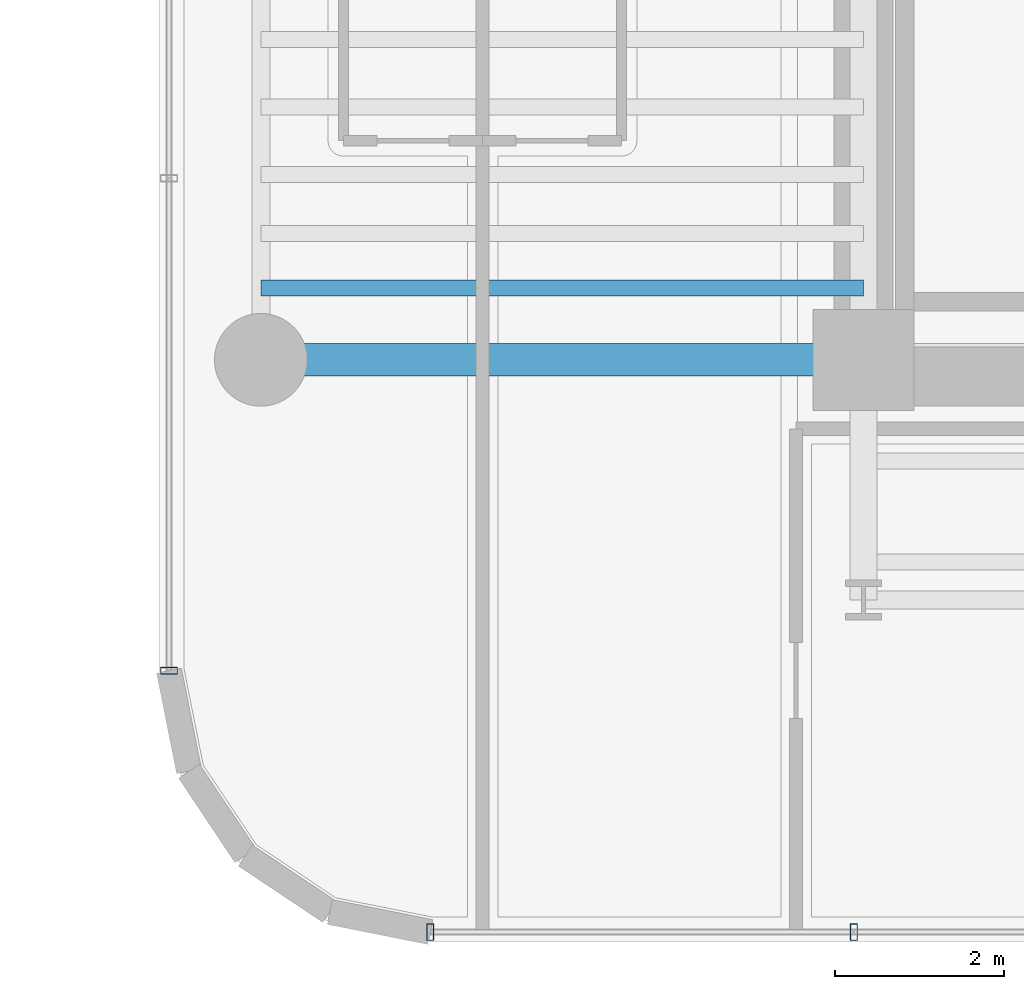
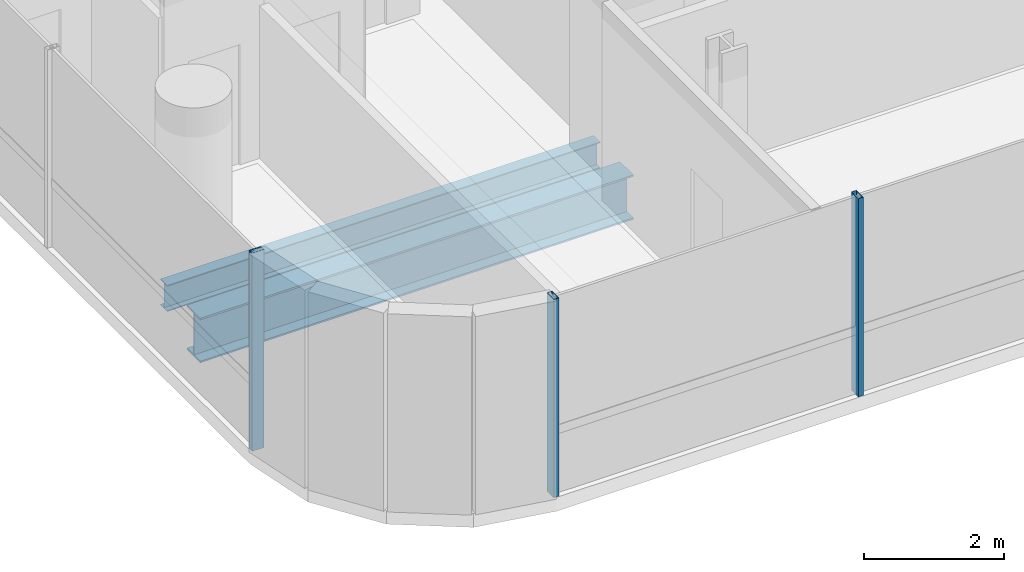
# One storey, part 2 of 35: 3 members, 2 beams, 2 elements without a shape of their own.
"""IFC4 building model written with IfcOpenShell, lengths in metres."""

import ifcopenshell
import ifcopenshell.guid

model = None  # the IFC model being written
_history = None  # IfcOwnerHistory: only IFC2X3 demands one
_inside = {}  # id of a spatial element -> (the spatial element, [elements in it])
_under = {}  # id of a project, library or spatial element -> (it, [spatial elements below it])
_declared = {}  # id of a project -> (the project, [libraries it declares])
_typed = {}  # id of a type object -> (the type object, [elements of that type])
_made_of = {}  # id of a material, layer set ... -> (it, [elements and type objects made of it])


def new_model(schema):
    """Start an empty IFC model of exactly this schema.

    Asked for "IFC4X3", IfcOpenShell would pick the latest addendum, in which some entities
    have other attributes; the version numbers below select the first issue.
    IFC2X3 requires an IfcOwnerHistory on every rooted entity: one is made here for all.
    """
    global model, _history
    if schema == "IFC4X3":
        model = ifcopenshell.file(schema_version=(4, 3, 0, 0))
    else:
        model = ifcopenshell.file(schema=schema)
    _inside.clear()
    _under.clear()
    _declared.clear()
    _typed.clear()
    _made_of.clear()
    _history = None
    if model.schema == "IFC2X3":
        org = make("IfcOrganization", Name="unknown")
        user = make(
            "IfcPersonAndOrganization",
            ThePerson=make("IfcPerson", FamilyName="unknown"),
            TheOrganization=org,
        )
        app = make(
            "IfcApplication",
            ApplicationDeveloper=org,
            Version="unknown",
            ApplicationFullName="unknown",
            ApplicationIdentifier="unknown",
        )
        _history = make(
            "IfcOwnerHistory",
            OwningUser=user,
            OwningApplication=app,
            ChangeAction="ADDED",
            CreationDate=0,
        )
    return model


def make(cls, **values):
    """One entity of the class cls with the attributes given. An attribute that is None is left unset."""
    return model.create_entity(
        cls, **{name: value for name, value in values.items() if value is not None}
    )


def rooted(cls, **values):
    """An entity with a GlobalId (a new one), such as an element, a storey or a relation."""
    return make(cls, GlobalId=ifcopenshell.guid.new(), OwnerHistory=_history, **values)


def si_unit(unit_type, name, prefix=None):
    """IfcSIUnit, for example si_unit("LENGTHUNIT", "METRE", prefix="MILLI")."""
    return make("IfcSIUnit", UnitType=unit_type, Prefix=prefix, Name=name)


def assignment(units):
    """IfcUnitAssignment: the units of a project."""
    return None if units is None else make("IfcUnitAssignment", Units=units)


def point(xyz):
    """IfcCartesianPoint."""
    return None if xyz is None else make("IfcCartesianPoint", Coordinates=xyz)


def direction(xyz):
    """IfcDirection."""
    return None if xyz is None else make("IfcDirection", DirectionRatios=xyz)


def frame(location, z_axis=None, x_axis=None):
    """IfcAxis2Placement3D, a coordinate frame: its origin and axes. An axis left out is left unset."""
    return make(
        "IfcAxis2Placement3D",
        Location=point(location),
        Axis=direction(z_axis),
        RefDirection=direction(x_axis),
    )


def frame_2d(location, x_axis=None):
    """IfcAxis2Placement2D, a coordinate frame in the plane: its origin and x axis."""
    return make(
        "IfcAxis2Placement2D", Location=point(location), RefDirection=direction(x_axis)
    )


def origin():
    """The frame at (0, 0, 0) with its axes left unset."""
    return frame((0.0, 0.0, 0.0))


def origin_2d():
    """The frame at (0, 0) in the plane with its x axis left unset."""
    return frame_2d((0.0, 0.0))


def place(relative_to, where):
    """IfcLocalPlacement: puts the frame where relative to a parent placement (None: the world)."""
    return make(
        "IfcLocalPlacement", PlacementRelTo=relative_to, RelativePlacement=where
    )


def context(
    kind, dimensions, precision=None, world=None, true_north=None, identifier=None
):
    """IfcGeometricRepresentationContext, for example the 3D "Model" context."""
    return make(
        "IfcGeometricRepresentationContext",
        ContextIdentifier=identifier,
        ContextType=kind,
        CoordinateSpaceDimension=dimensions,
        Precision=precision,
        WorldCoordinateSystem=world,
        TrueNorth=true_north,
    )


def subcontext(parent, identifier, kind, view, scale=None):
    """IfcGeometricRepresentationSubContext, for example "Body" below "Model"."""
    return make(
        "IfcGeometricRepresentationSubContext",
        ContextIdentifier=identifier,
        ContextType=kind,
        ParentContext=parent,
        TargetScale=scale,
        TargetView=view,
    )


def project(units=None, contexts=None):
    """IfcProject with its units and contexts."""
    return rooted(
        "IfcProject",
        Name="project",
        RepresentationContexts=contexts,
        UnitsInContext=assignment(units),
    )


def spatial(cls, under=None, at=None, **own):
    """A site, building, storey or space (cls), placed at a placement, below another one or the project."""
    s = rooted(cls, ObjectPlacement=at, **own)
    if under is not None:
        _under.setdefault(under.id(), (under, []))[1].append(s)
    return s


def profile(cls, at=None, kind="AREA", **sizes):
    """A parametric profile (cls). Its sizes go by their IFC names, for example OverallWidth=200.0."""
    return make(cls, ProfileType=kind, Position=at, **sizes)


def hollow_rectangle(**sizes):
    """IfcRectangleHollowProfileDef."""
    return profile("IfcRectangleHollowProfileDef", **sizes)


def i_section(**sizes):
    """IfcIShapeProfileDef."""
    return profile("IfcIShapeProfileDef", **sizes)


def extrude(swept, where, along, depth):
    """IfcExtrudedAreaSolid: the profile swept, set in the frame where, extruded along a direction by depth."""
    return make(
        "IfcExtrudedAreaSolid",
        SweptArea=swept,
        Position=where,
        ExtrudedDirection=direction(along),
        Depth=depth,
    )


def shape(context_of_items, identifier, shape_type, items):
    """IfcShapeRepresentation: the items that make up one representation, for example the "Body"."""
    return make(
        "IfcShapeRepresentation",
        ContextOfItems=context_of_items,
        RepresentationIdentifier=identifier,
        RepresentationType=shape_type,
        Items=items,
    )


def source(mapping_origin, context_of_items, identifier, shape_type, items):
    """IfcRepresentationMap: a shape defined once, which mapped items show again and again."""
    return make(
        "IfcRepresentationMap",
        MappingOrigin=mapping_origin,
        MappedRepresentation=shape(context_of_items, identifier, shape_type, items),
    )


def transform(
    local_origin,
    x_axis=None,
    y_axis=None,
    z_axis=None,
    scale=None,
    scale2=None,
    scale3=None,
    uniform=True,
):
    """IfcCartesianTransformationOperator3D, or its non-uniform kind. x_axis, y_axis, z_axis: its Axis1, 2, 3."""
    if uniform:
        return make(
            "IfcCartesianTransformationOperator3D",
            Axis1=direction(x_axis),
            Axis2=direction(y_axis),
            LocalOrigin=point(local_origin),
            Scale=scale,
            Axis3=direction(z_axis),
        )
    return make(
        "IfcCartesianTransformationOperator3DnonUniform",
        Axis1=direction(x_axis),
        Axis2=direction(y_axis),
        LocalOrigin=point(local_origin),
        Scale=scale,
        Axis3=direction(z_axis),
        Scale2=scale2,
        Scale3=scale3,
    )


def mapped(mapping_source, mapping_target):
    """IfcMappedItem: shows the shape of a source again, moved by a transform."""
    return make(
        "IfcMappedItem", MappingSource=mapping_source, MappingTarget=mapping_target
    )


def material(Name=None, Category=None):
    """IfcMaterial."""
    return make("IfcMaterial", Name=Name, Category=Category)


def material_profile(
    of_material, cross_section, Name=None, Category=None, Priority=None
):
    """IfcMaterialProfile: a cross section and its material."""
    return make(
        "IfcMaterialProfile",
        Name=Name,
        Material=of_material,
        Profile=cross_section,
        Priority=Priority,
        Category=Category,
    )


def profile_set(profiles, Name=None, composite=None):
    """IfcMaterialProfileSet."""
    return make(
        "IfcMaterialProfileSet",
        Name=Name,
        MaterialProfiles=profiles,
        CompositeProfile=composite,
    )


def made_of(thing, what):
    """Note that an element or type object is made of a material, layer set ...; save() writes the relation."""
    if what is not None:
        _made_of.setdefault(what.id(), (what, []))[1].append(thing)
    return thing


def type_object(cls, material=None, **own):
    """A type object (cls), such as IfcWallType, which elements share."""
    return made_of(rooted(cls, **own), material)


def element(
    cls,
    number,
    at=None,
    inside=None,
    cuts=None,
    type_object=None,
    material=None,
    context=None,
    identifier="Body",
    shape_type=None,
    held_by="IfcProductDefinitionShape",
    body=None,
    shapes=None,
    **own,
):
    """One element of the class cls, such as IfcWall. Its Tag is "e" and its number.

    at: its placement. inside: the storey or other place that contains it. cuts: it is an
    opening in that element (IfcRelVoidsElement). A single representation is given by context,
    identifier, shape_type and body (its items); several are given by shapes. held_by: the class
    of the entity that holds the representations. save() writes the other relations.
    """
    e = rooted(cls, Tag="e%d" % number, ObjectPlacement=at, **own)
    if body is not None:
        shapes = [shape(context, identifier, shape_type, body)]
    if shapes is not None:
        e.Representation = make(held_by, Representations=shapes)
    if inside is not None:
        _inside.setdefault(inside.id(), (inside, []))[1].append(e)
    if cuts is not None:
        rooted(
            "IfcRelVoidsElement", RelatingBuildingElement=cuts, RelatedOpeningElement=e
        )
    if type_object is not None:
        _typed.setdefault(type_object.id(), (type_object, []))[1].append(e)
    return made_of(e, material)


def aggregate(whole, parts):
    """IfcRelAggregates: a whole, such as a stair, and the parts it consists of."""
    return rooted("IfcRelAggregates", RelatingObject=whole, RelatedObjects=parts)


def save(model, path):
    """Write the relations noted so far, then the file.

    IfcRelAggregates (storeys below a building ...), IfcRelContainedInSpatialStructure (elements
    in a storey), IfcRelDefinesByType, IfcRelAssociatesMaterial and IfcRelDeclares: one each for
    every whole, place, type object, material and project.
    """
    for whole, parts in _under.values():
        aggregate(whole, parts)
    for where, things in _inside.values():
        rooted(
            "IfcRelContainedInSpatialStructure",
            RelatedElements=things,
            RelatingStructure=where,
        )
    for kind, things in _typed.values():
        rooted("IfcRelDefinesByType", RelatedObjects=things, RelatingType=kind)
    for what, things in _made_of.values():
        rooted("IfcRelAssociatesMaterial", RelatedObjects=things, RelatingMaterial=what)
    for by, libraries in _declared.values():
        rooted("IfcRelDeclares", RelatingContext=by, RelatedDefinitions=libraries)
    model.write(path)


model = new_model("IFC4")

# Units and contexts
model_context = context("Model", 3, precision=1e-05, world=origin(), true_north=direction((0.0, 1.0)))
body_context = subcontext(model_context, "Body", "Model", "MODEL_VIEW")
ifc_project = project(units=[si_unit("LENGTHUNIT", "METRE"), si_unit("AREAUNIT", "SQUARE_METRE"), si_unit("VOLUMEUNIT", "CUBIC_METRE"), si_unit("PLANEANGLEUNIT", "RADIAN"), si_unit("MASSUNIT", "GRAM", prefix="KILO")], contexts=[model_context])

# Site, building, storey
site_placement = place(None, origin())
site = spatial("IfcSite", under=ifc_project, at=site_placement, CompositionType="ELEMENT")
building_placement = place(site_placement, origin())
building = spatial("IfcBuilding", under=site, at=building_placement, Name="Valdorenza Pilgrim Sanctuary Tower", CompositionType="ELEMENT")
storey_placement = place(building_placement, frame((0.0, 0.0, 139.0)))
storey = spatial("IfcBuildingStorey", under=building, at=storey_placement, Name="L35", CompositionType="ELEMENT", Elevation=139.0)

# Beams
ifc_material_1 = material(Name="Steel ASTM A992 Grade 50", Category="steel")
ifc_material_profile_1 = material_profile(ifc_material_1, i_section(OverallWidth=0.382080078125, OverallDepth=0.779052734375, WebThickness=0.01806640625, FlangeThickness=0.030029296875, at=origin_2d()), Name="W30X191")
ifc_profile_set_1 = profile_set([ifc_material_profile_1], Name="Steel ASTM A992 Grade 50")
beam_type_1 = type_object("IfcBeamType", Name="STR-BM-GRD-W30", PredefinedType="BEAM", material=ifc_profile_set_1)
shared_shape_1 = source(origin(), body_context, "Body", "SweptSolid", [
    extrude(i_section(OverallWidth=0.382080078125, OverallDepth=0.779052734375, WebThickness=0.01806640625, FlangeThickness=0.030029296875, at=origin_2d()), origin(), (0.0, 0.0, 1.0), 7.150146484375),
])
beam_1_placement = place(storey_placement, frame((-29.800048828125, -10.60009765625, -0.62939453125), z_axis=(1.0, 0.0, 0.0), x_axis=(0.0, 1.0, 0.0)))
element("IfcBeam", 1, at=beam_1_placement, inside=storey, type_object=beam_type_1, Name="L35 Floor Girder WA-XW-S1", PredefinedType="BEAM", context=body_context, shape_type="MappedRepresentation", body=[
    mapped(shared_shape_1, transform((0.0, 0.0, 0.0), x_axis=(1.0, 0.0, 0.0), y_axis=(0.0, 1.0, 0.0), z_axis=(0.0, 0.0, 1.0), scale=1.0)),
])
ifc_material_profile_2 = material_profile(ifc_material_1, i_section(OverallWidth=0.19091796875, OverallDepth=0.45703125, WebThickness=0.009033203125, FlangeThickness=0.014404296875, at=origin_2d()), Name="W18X50")
ifc_profile_set_2 = profile_set([ifc_material_profile_2], Name="Steel ASTM A992 Grade 50")
beam_type_2 = type_object("IfcBeamType", Name="STR-BM-JST-W18B", PredefinedType="JOIST", material=ifc_profile_set_2)
shared_shape_2 = source(origin(), body_context, "Body", "SweptSolid", [
    extrude(i_section(OverallWidth=0.19091796875, OverallDepth=0.45703125, WebThickness=0.009033203125, FlangeThickness=0.014404296875, at=origin_2d()), origin(), (0.0, 0.0, 1.0), 7.150146484375),
])
beam_2_placement = place(storey_placement, frame((-29.800048828125, -9.75, -0.468505859375), z_axis=(1.0, 0.0, 0.0), x_axis=(0.0, 1.0, 0.0)))
element("IfcBeam", 2, at=beam_2_placement, inside=storey, type_object=beam_type_2, Name="L35 Composite Floor Joist JST-WA-1", PredefinedType="JOIST", context=body_context, shape_type="MappedRepresentation", body=[
    mapped(shared_shape_2, transform((0.0, 0.0, 0.0), x_axis=(1.0, 0.0, 0.0), y_axis=(0.0, 1.0, 0.0), z_axis=(0.0, 0.0, 1.0), scale=1.0)),
])

# Curtain wall, member
ifc_material_2 = material(Name="Curtain-wall IGU glazing", Category="glass")
curtain_wall_type = type_object("IfcCurtainWallType", Name="CW-SYS-02", PredefinedType="NOTDEFINED", material=ifc_material_2)
curtain_wall_1_placement = place(storey_placement, origin())
curtain_wall_1 = element("IfcCurtainWall", 3, at=curtain_wall_1_placement, inside=storey, type_object=curtain_wall_type, Name="L35 Curtain Wall CW-L35-1-1S1", PredefinedType="NOTDEFINED")
ifc_material_3 = material(Name="Anodised aluminium AW-6060", Category="aluminium")
ifc_material_profile_3 = material_profile(ifc_material_3, hollow_rectangle(XDim=0.0849609375, YDim=0.199951171875, WallThickness=0.0048828125, at=origin_2d()), Name="ALU-M 200x85x5")
ifc_profile_set_3 = profile_set([ifc_material_profile_3], Name="Anodised aluminium AW-6060")
member_type = type_object("IfcMemberType", Name="CW-MUL-02", PredefinedType="MULLION", material=ifc_profile_set_3)
shared_shape_3 = source(origin(), body_context, "Body", "SweptSolid", [
    extrude(hollow_rectangle(XDim=0.0849609375, YDim=0.199951171875, WallThickness=0.0048828125, at=origin_2d()), origin(), (0.0, 0.0, 1.0), 3.4599609375),
])
member_1_placement = place(storey_placement, frame((-30.889892578125, -14.289306640625, 0.0), z_axis=(0.0, 0.0, 1.0), x_axis=(0.0, 1.0, 0.0)))
member_1 = element("IfcMember", 4, at=member_1_placement, type_object=member_type, Name="CW-L35-1-1S1 Mullion 1", PredefinedType="MULLION", context=body_context, shape_type="MappedRepresentation", body=[
    mapped(shared_shape_3, transform((0.0, 0.0, 0.0), x_axis=(1.0, 0.0, 0.0), y_axis=(0.0, 1.0, 0.0), z_axis=(0.0, 0.0, 1.0), scale=1.0)),
])
aggregate(curtain_wall_1, [member_1])

# Curtain wall, members
curtain_wall_2_placement = place(storey_placement, origin())
curtain_wall_2 = element("IfcCurtainWall", 5, at=curtain_wall_2_placement, inside=storey, type_object=curtain_wall_type, Name="L35 Curtain Wall CW-L35-1-46", PredefinedType="NOTDEFINED")
member_2_placement = place(storey_placement, frame((-22.76318359375, -17.389892578125, 0.0), z_axis=(0.0, 0.0, 1.0), x_axis=(-1.0, 0.0, 0.0)))
member_2 = element("IfcMember", 6, at=member_2_placement, type_object=member_type, Name="CW-L35-1-46 Mullion 3", PredefinedType="MULLION", context=body_context, shape_type="MappedRepresentation", body=[
    mapped(shared_shape_3, transform((0.0, 0.0, 0.0), x_axis=(1.0, 0.0, 0.0), y_axis=(0.0, 1.0, 0.0), z_axis=(0.0, 0.0, 1.0), scale=1.0)),
])
member_3_placement = place(storey_placement, frame((-27.789306640625, -17.389892578125, 0.0), z_axis=(0.0, 0.0, 1.0), x_axis=(-1.0, 0.0, 0.0)))
member_3 = element("IfcMember", 7, at=member_3_placement, type_object=member_type, Name="CW-L35-1-46 Mullion 4", PredefinedType="MULLION", context=body_context, shape_type="MappedRepresentation", body=[
    mapped(shared_shape_3, transform((0.0, 0.0, 0.0), x_axis=(1.0, 0.0, 0.0), y_axis=(0.0, 1.0, 0.0), z_axis=(0.0, 0.0, 1.0), scale=1.0)),
])
aggregate(curtain_wall_2, [member_2, member_3])

save(model, "model.ifc")
